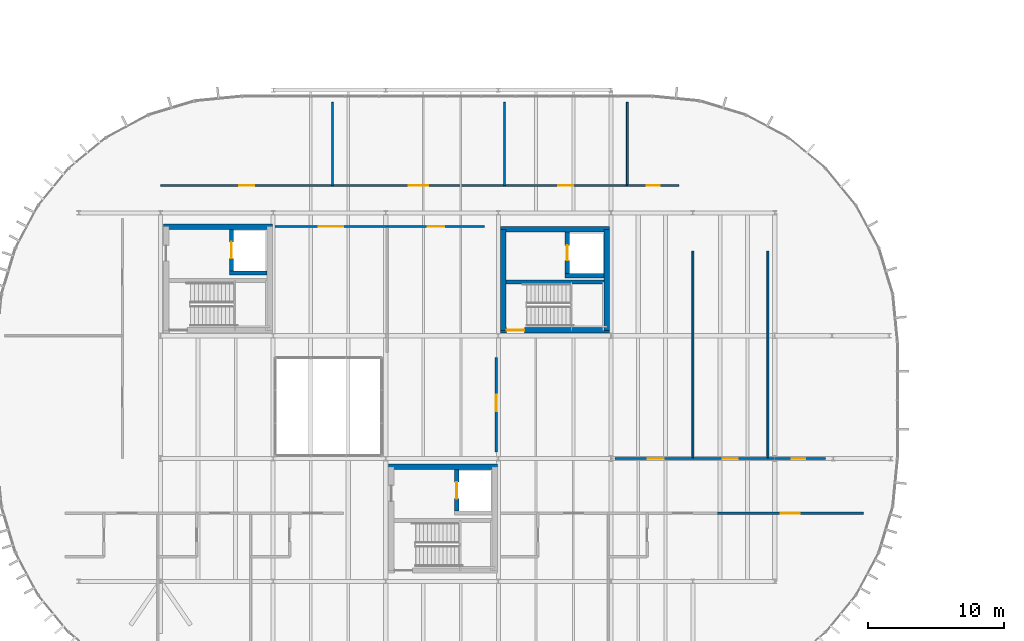
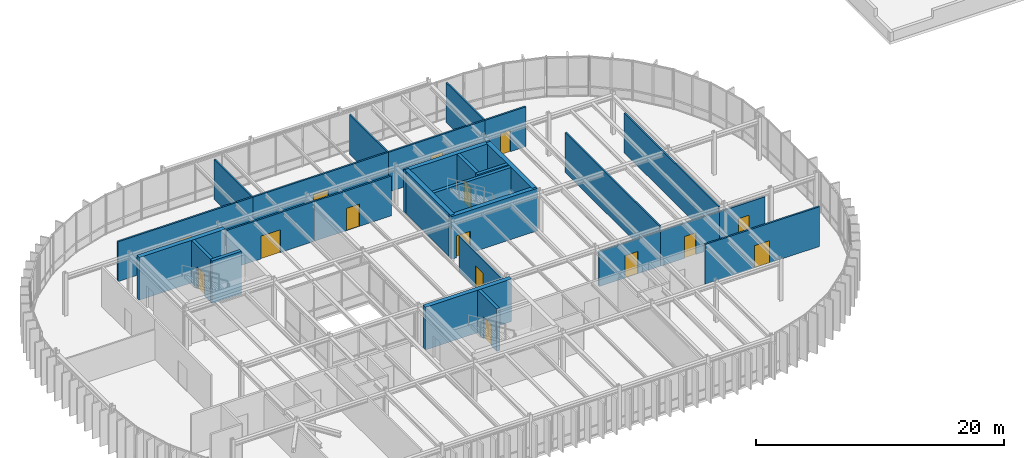
# One storey, part 21 of 27: 28 walls, 15 doors, 15 openings.
"""IFC4 building model written with IfcOpenShell, lengths in metres."""

import ifcopenshell
import ifcopenshell.guid

model = None  # the IFC model being written
_history = None  # IfcOwnerHistory: only IFC2X3 demands one
_inside = {}  # id of a spatial element -> (the spatial element, [elements in it])
_under = {}  # id of a project, library or spatial element -> (it, [spatial elements below it])
_declared = {}  # id of a project -> (the project, [libraries it declares])
_typed = {}  # id of a type object -> (the type object, [elements of that type])
_made_of = {}  # id of a material, layer set ... -> (it, [elements and type objects made of it])


def new_model(schema):
    """Start an empty IFC model of exactly this schema.

    Asked for "IFC4X3", IfcOpenShell would pick the latest addendum, in which some entities
    have other attributes; the version numbers below select the first issue.
    IFC2X3 requires an IfcOwnerHistory on every rooted entity: one is made here for all.
    """
    global model, _history
    if schema == "IFC4X3":
        model = ifcopenshell.file(schema_version=(4, 3, 0, 0))
    else:
        model = ifcopenshell.file(schema=schema)
    _inside.clear()
    _under.clear()
    _declared.clear()
    _typed.clear()
    _made_of.clear()
    _history = None
    if model.schema == "IFC2X3":
        org = make("IfcOrganization", Name="unknown")
        user = make(
            "IfcPersonAndOrganization",
            ThePerson=make("IfcPerson", FamilyName="unknown"),
            TheOrganization=org,
        )
        app = make(
            "IfcApplication",
            ApplicationDeveloper=org,
            Version="unknown",
            ApplicationFullName="unknown",
            ApplicationIdentifier="unknown",
        )
        _history = make(
            "IfcOwnerHistory",
            OwningUser=user,
            OwningApplication=app,
            ChangeAction="ADDED",
            CreationDate=0,
        )
    return model


def make(cls, **values):
    """One entity of the class cls with the attributes given. An attribute that is None is left unset."""
    return model.create_entity(
        cls, **{name: value for name, value in values.items() if value is not None}
    )


def rooted(cls, **values):
    """An entity with a GlobalId (a new one), such as an element, a storey or a relation."""
    return make(cls, GlobalId=ifcopenshell.guid.new(), OwnerHistory=_history, **values)


def si_unit(unit_type, name, prefix=None):
    """IfcSIUnit, for example si_unit("LENGTHUNIT", "METRE", prefix="MILLI")."""
    return make("IfcSIUnit", UnitType=unit_type, Prefix=prefix, Name=name)


def assignment(units):
    """IfcUnitAssignment: the units of a project."""
    return None if units is None else make("IfcUnitAssignment", Units=units)


def point(xyz):
    """IfcCartesianPoint."""
    return None if xyz is None else make("IfcCartesianPoint", Coordinates=xyz)


def direction(xyz):
    """IfcDirection."""
    return None if xyz is None else make("IfcDirection", DirectionRatios=xyz)


def frame(location, z_axis=None, x_axis=None):
    """IfcAxis2Placement3D, a coordinate frame: its origin and axes. An axis left out is left unset."""
    return make(
        "IfcAxis2Placement3D",
        Location=point(location),
        Axis=direction(z_axis),
        RefDirection=direction(x_axis),
    )


def frame_2d(location, x_axis=None):
    """IfcAxis2Placement2D, a coordinate frame in the plane: its origin and x axis."""
    return make(
        "IfcAxis2Placement2D", Location=point(location), RefDirection=direction(x_axis)
    )


def origin():
    """The frame at (0, 0, 0) with its axes left unset."""
    return frame((0.0, 0.0, 0.0))


def place(relative_to, where):
    """IfcLocalPlacement: puts the frame where relative to a parent placement (None: the world)."""
    return make(
        "IfcLocalPlacement", PlacementRelTo=relative_to, RelativePlacement=where
    )


def context(
    kind, dimensions, precision=None, world=None, true_north=None, identifier=None
):
    """IfcGeometricRepresentationContext, for example the 3D "Model" context."""
    return make(
        "IfcGeometricRepresentationContext",
        ContextIdentifier=identifier,
        ContextType=kind,
        CoordinateSpaceDimension=dimensions,
        Precision=precision,
        WorldCoordinateSystem=world,
        TrueNorth=true_north,
    )


def subcontext(parent, identifier, kind, view, scale=None):
    """IfcGeometricRepresentationSubContext, for example "Body" below "Model"."""
    return make(
        "IfcGeometricRepresentationSubContext",
        ContextIdentifier=identifier,
        ContextType=kind,
        ParentContext=parent,
        TargetScale=scale,
        TargetView=view,
    )


def project(units=None, contexts=None):
    """IfcProject with its units and contexts."""
    return rooted(
        "IfcProject",
        Name="project",
        RepresentationContexts=contexts,
        UnitsInContext=assignment(units),
    )


def spatial(cls, under=None, at=None, **own):
    """A site, building, storey or space (cls), placed at a placement, below another one or the project."""
    s = rooted(cls, ObjectPlacement=at, **own)
    if under is not None:
        _under.setdefault(under.id(), (under, []))[1].append(s)
    return s


def profile(cls, at=None, kind="AREA", **sizes):
    """A parametric profile (cls). Its sizes go by their IFC names, for example OverallWidth=200.0."""
    return make(cls, ProfileType=kind, Position=at, **sizes)


def rectangle(**sizes):
    """IfcRectangleProfileDef."""
    return profile("IfcRectangleProfileDef", **sizes)


def extrude(swept, where, along, depth):
    """IfcExtrudedAreaSolid: the profile swept, set in the frame where, extruded along a direction by depth."""
    return make(
        "IfcExtrudedAreaSolid",
        SweptArea=swept,
        Position=where,
        ExtrudedDirection=direction(along),
        Depth=depth,
    )


def shape(context_of_items, identifier, shape_type, items):
    """IfcShapeRepresentation: the items that make up one representation, for example the "Body"."""
    return make(
        "IfcShapeRepresentation",
        ContextOfItems=context_of_items,
        RepresentationIdentifier=identifier,
        RepresentationType=shape_type,
        Items=items,
    )


def material(Name=None, Category=None):
    """IfcMaterial."""
    return make("IfcMaterial", Name=Name, Category=Category)


def layer(
    of_material, thickness, ventilated=None, Name=None, Category=None, Priority=None
):
    """IfcMaterialLayer: one layer of a wall or slab, of a material (None: an air gap)."""
    return make(
        "IfcMaterialLayer",
        Material=of_material,
        LayerThickness=thickness,
        IsVentilated=ventilated,
        Name=Name,
        Category=Category,
        Priority=Priority,
    )


def layer_set(layers, Name=None):
    """IfcMaterialLayerSet."""
    return make("IfcMaterialLayerSet", MaterialLayers=layers, LayerSetName=Name)


def made_of(thing, what):
    """Note that an element or type object is made of a material, layer set ...; save() writes the relation."""
    if what is not None:
        _made_of.setdefault(what.id(), (what, []))[1].append(thing)
    return thing


def type_object(cls, material=None, **own):
    """A type object (cls), such as IfcWallType, which elements share."""
    return made_of(rooted(cls, **own), material)


def element(
    cls,
    number,
    at=None,
    inside=None,
    cuts=None,
    type_object=None,
    material=None,
    context=None,
    identifier="Body",
    shape_type=None,
    held_by="IfcProductDefinitionShape",
    body=None,
    shapes=None,
    **own,
):
    """One element of the class cls, such as IfcWall. Its Tag is "e" and its number.

    at: its placement. inside: the storey or other place that contains it. cuts: it is an
    opening in that element (IfcRelVoidsElement). A single representation is given by context,
    identifier, shape_type and body (its items); several are given by shapes. held_by: the class
    of the entity that holds the representations. save() writes the other relations.
    """
    e = rooted(cls, Tag="e%d" % number, ObjectPlacement=at, **own)
    if body is not None:
        shapes = [shape(context, identifier, shape_type, body)]
    if shapes is not None:
        e.Representation = make(held_by, Representations=shapes)
    if inside is not None:
        _inside.setdefault(inside.id(), (inside, []))[1].append(e)
    if cuts is not None:
        rooted(
            "IfcRelVoidsElement", RelatingBuildingElement=cuts, RelatedOpeningElement=e
        )
    if type_object is not None:
        _typed.setdefault(type_object.id(), (type_object, []))[1].append(e)
    return made_of(e, material)


def fill(opening, filler):
    """IfcRelFillsElement: the door or window that sits in an opening."""
    return rooted(
        "IfcRelFillsElement",
        RelatingOpeningElement=opening,
        RelatedBuildingElement=filler,
    )


def aggregate(whole, parts):
    """IfcRelAggregates: a whole, such as a stair, and the parts it consists of."""
    return rooted("IfcRelAggregates", RelatingObject=whole, RelatedObjects=parts)


def save(model, path):
    """Write the relations noted so far, then the file.

    IfcRelAggregates (storeys below a building ...), IfcRelContainedInSpatialStructure (elements
    in a storey), IfcRelDefinesByType, IfcRelAssociatesMaterial and IfcRelDeclares: one each for
    every whole, place, type object, material and project.
    """
    for whole, parts in _under.values():
        aggregate(whole, parts)
    for where, things in _inside.values():
        rooted(
            "IfcRelContainedInSpatialStructure",
            RelatedElements=things,
            RelatingStructure=where,
        )
    for kind, things in _typed.values():
        rooted("IfcRelDefinesByType", RelatedObjects=things, RelatingType=kind)
    for what, things in _made_of.values():
        rooted("IfcRelAssociatesMaterial", RelatedObjects=things, RelatingMaterial=what)
    for by, libraries in _declared.values():
        rooted("IfcRelDeclares", RelatingContext=by, RelatedDefinitions=libraries)
    model.write(path)


model = new_model("IFC4")

# Units and contexts
model_context = context("Model", 3, precision=1e-05, world=origin(), true_north=direction((0.0, 1.0)))
body_context = subcontext(model_context, "Body", "Model", "MODEL_VIEW")
ifc_project = project(units=[si_unit("LENGTHUNIT", "METRE"), si_unit("AREAUNIT", "SQUARE_METRE"), si_unit("VOLUMEUNIT", "CUBIC_METRE"), si_unit("PLANEANGLEUNIT", "RADIAN"), si_unit("MASSUNIT", "GRAM", prefix="KILO")], contexts=[model_context])

# Site, building, storey
site_placement = place(None, origin())
site = spatial("IfcSite", under=ifc_project, at=site_placement, CompositionType="ELEMENT")
building_placement = place(site_placement, origin())
building = spatial("IfcBuilding", under=site, at=building_placement, Name="Montealbar Specialist Clinic", CompositionType="ELEMENT")
storey_placement = place(building_placement, frame((0.0, 0.0, 18.0)))
storey = spatial("IfcBuildingStorey", under=building, at=storey_placement, Name="L04", CompositionType="ELEMENT", Elevation=18.0)

# Wall
ifc_material_1 = material(Name="Concrete C35/45", Category="concrete")
ifc_layer_1 = layer(ifc_material_1, 0.300048828125, Name="Concrete C35/45", Category="concrete")
ifc_layer_set_1 = layer_set([ifc_layer_1], Name="Concrete C35/45")
wall_type_1 = type_object("IfcWallType", Name="WL-CORE-300", PredefinedType="SHEAR", material=ifc_layer_set_1)
wall_1_placement = place(storey_placement, frame((71.050048828125, 31.60009765625, 0.0), z_axis=(0.0, 0.0, 1.0), x_axis=(1.0, 0.0, 0.0)))
element("IfcWall", 1, at=wall_1_placement, inside=storey, type_object=wall_type_1, Name="Lift FL-01 Shaft Wall L04 LS", PredefinedType="SHEAR", context=body_context, shape_type="SweptSolid", body=[
    extrude(rectangle(XDim=2.75, YDim=0.300048828125, at=frame_2d((1.375, 0.0))), origin(), (0.0, 0.0, 1.0), 4.199951171875),
])

# Wall, opening, door
wall_2_placement = place(storey_placement, frame((71.199951171875, 31.75, 0.0), z_axis=(0.0, 0.0, 1.0), x_axis=(0.0, 1.0, 0.0)))
wall_2 = element("IfcWall", 2, at=wall_2_placement, inside=storey, type_object=wall_type_1, Name="Lift FL-01 Shaft Wall L04 LW", PredefinedType="SHEAR", context=body_context, shape_type="SweptSolid", body=[
    extrude(rectangle(XDim=3.050048828125, YDim=0.300048828125, at=frame_2d((1.52490234375, 0.0))), origin(), (0.0, 0.0, 1.0), 4.199951171875),
])
opening_1_placement = place(wall_2_placement, frame((0.925048828125, 0.0, 0.0)))
opening_1 = element("IfcOpeningElement", 3, at=opening_1_placement, cuts=wall_2, Name="Opening LD-12", PredefinedType="OPENING", context=body_context, shape_type="SweptSolid", body=[
    extrude(rectangle(XDim=1.199951171875, YDim=2.14990234375, at=frame_2d((0.60009765625, 1.074951171875))), frame((0.0, 0.159912109375, 0.0), z_axis=(0.0, -1.0, 0.0), x_axis=(1.0, 0.0, 0.0)), (0.0, 0.0, 1.0), 0.320068359375),
])
ifc_material_2 = material(Name="Steel S355", Category="steel")
door_type_1 = type_object("IfcDoorType", Name="DR-LIFT-LD1200", OperationType="DOUBLE_DOOR_SLIDING", PredefinedType="DOOR", material=ifc_material_2)
door_1_placement = place(opening_1_placement, origin())
door_1 = element("IfcDoor", 4, at=door_1_placement, inside=storey, type_object=door_type_1, Name="Lift FL-01 Sliding Landing Door L04", OperationType="DOUBLE_DOOR_SLIDING", OverallHeight=2.14990234375, OverallWidth=1.199951171875, PredefinedType="DOOR", context=body_context, shape_type="SweptSolid", body=[
    extrude(rectangle(XDim=1.199951171875, YDim=2.14990234375, at=frame_2d((0.60009765625, 1.074951171875))), frame((0.0, 0.02490234375, 0.0), z_axis=(0.0, -1.0, 0.0), x_axis=(1.0, 0.0, 0.0)), (0.0, 0.0, 1.0), 0.050048828125),
])
fill(opening_1, door_1)

wall_3_placement = place(storey_placement, frame((87.699951171875, 14.14990234375, 0.0), z_axis=(0.0, 0.0, 1.0), x_axis=(0.0, 1.0, 0.0)))
wall_3 = element("IfcWall", 5, at=wall_3_placement, inside=storey, type_object=wall_type_1, Name="Lift FL-02 Shaft Wall L04 LW", PredefinedType="SHEAR", context=body_context, shape_type="SweptSolid", body=[
    extrude(rectangle(XDim=3.050048828125, YDim=0.300048828125, at=frame_2d((1.52490234375, 0.0))), origin(), (0.0, 0.0, 1.0), 4.199951171875),
])
opening_2_placement = place(wall_3_placement, frame((0.925048828125, 0.0, 0.0)))
opening_2 = element("IfcOpeningElement", 6, at=opening_2_placement, cuts=wall_3, Name="Opening LD-12", PredefinedType="OPENING", context=body_context, shape_type="SweptSolid", body=[
    extrude(rectangle(XDim=1.199951171875, YDim=2.14990234375, at=frame_2d((0.60009765625, 1.074951171875))), frame((0.0, 0.159912109375, 0.0), z_axis=(0.0, -1.0, 0.0), x_axis=(1.0, 0.0, 0.0)), (0.0, 0.0, 1.0), 0.320068359375),
])
door_2_placement = place(opening_2_placement, origin())
door_2 = element("IfcDoor", 7, at=door_2_placement, inside=storey, type_object=door_type_1, Name="Lift FL-02 Sliding Landing Door L04", OperationType="DOUBLE_DOOR_SLIDING", OverallHeight=2.14990234375, OverallWidth=1.199951171875, PredefinedType="DOOR", context=body_context, shape_type="SweptSolid", body=[
    extrude(rectangle(XDim=1.199951171875, YDim=2.14990234375, at=frame_2d((0.60009765625, 1.074951171875))), frame((0.0, 0.02490234375, 0.0), z_axis=(0.0, -1.0, 0.0), x_axis=(1.0, 0.0, 0.0)), (0.0, 0.0, 1.0), 0.050048828125),
])
fill(opening_2, door_2)

# Walls
wall_4_placement = place(storey_placement, frame((91.300048828125, 30.949951171875, 0.0), z_axis=(0.0, 0.0, 1.0), x_axis=(1.0, 0.0, 0.0)))
element("IfcWall", 8, at=wall_4_placement, inside=storey, type_object=wall_type_1, Name="Core C5 Stairwell Wall L04", PredefinedType="SHEAR", context=body_context, shape_type="SweptSolid", body=[
    extrude(rectangle(XDim=7.199951171875, YDim=0.300048828125, at=frame_2d((3.60009765625, 0.0))), origin(), (0.0, 0.0, 1.0), 4.199951171875),
])
wall_5_placement = place(storey_placement, frame((95.64990234375, 31.39990234375, 0.0), z_axis=(0.0, 0.0, 1.0), x_axis=(1.0, 0.0, 0.0)))
element("IfcWall", 9, at=wall_5_placement, inside=storey, type_object=wall_type_1, Name="Lift LF-03 Shaft Wall L04 LS", PredefinedType="SHEAR", context=body_context, shape_type="SweptSolid", body=[
    extrude(rectangle(XDim=2.85009765625, YDim=0.300048828125, at=frame_2d((1.425048828125, 0.0))), origin(), (0.0, 0.0, 1.0), 4.199951171875),
])

# Wall, opening, door
wall_6_placement = place(storey_placement, frame((95.800048828125, 31.550048828125, 0.0), z_axis=(0.0, 0.0, 1.0), x_axis=(0.0, 1.0, 0.0)))
wall_6 = element("IfcWall", 10, at=wall_6_placement, inside=storey, type_object=wall_type_1, Name="Lift LF-03 Shaft Wall L04 LW", PredefinedType="SHEAR", context=body_context, shape_type="SweptSolid", body=[
    extrude(rectangle(XDim=3.050048828125, YDim=0.300048828125, at=frame_2d((1.52490234375, 0.0))), origin(), (0.0, 0.0, 1.0), 4.199951171875),
])
opening_3_placement = place(wall_6_placement, frame((0.97509765625, 0.0, 0.0)))
opening_3 = element("IfcOpeningElement", 11, at=opening_3_placement, cuts=wall_6, Name="Opening LD-11", PredefinedType="OPENING", context=body_context, shape_type="SweptSolid", body=[
    extrude(rectangle(XDim=1.10009765625, YDim=2.14990234375, at=frame_2d((0.550048828125, 1.074951171875))), frame((0.0, 0.159912109375, 0.0), z_axis=(0.0, -1.0, 0.0), x_axis=(1.0, 0.0, 0.0)), (0.0, 0.0, 1.0), 0.320068359375),
])
door_type_2 = type_object("IfcDoorType", Name="DR-LIFT-LD1100", OperationType="DOUBLE_DOOR_SLIDING", PredefinedType="DOOR", material=ifc_material_2)
door_3_placement = place(opening_3_placement, origin())
door_3 = element("IfcDoor", 12, at=door_3_placement, inside=storey, type_object=door_type_2, Name="Lift LF-03 Sliding Landing Door L04", OperationType="DOUBLE_DOOR_SLIDING", OverallHeight=2.14990234375, OverallWidth=1.10009765625, PredefinedType="DOOR", context=body_context, shape_type="SweptSolid", body=[
    extrude(rectangle(XDim=1.10009765625, YDim=2.14990234375, at=frame_2d((0.550048828125, 1.074951171875))), frame((0.0, 0.02490234375, 0.0), z_axis=(0.0, -1.0, 0.0), x_axis=(1.0, 0.0, 0.0)), (0.0, 0.0, 1.0), 0.050048828125),
])
fill(opening_3, door_3)

# Walls
ifc_layer_2 = layer(ifc_material_1, 0.39990234375, Name="Concrete C35/45", Category="concrete")
ifc_layer_set_2 = layer_set([ifc_layer_2], Name="Concrete C35/45")
wall_type_2 = type_object("IfcWallType", Name="WL-CORE-400", PredefinedType="SHEAR", material=ifc_layer_set_2)
for number, where, z_axis, x_axis, name in (
    (13, (66.199951171875, 35.0, 0.0), (0.0, 0.0, 1.0), (1.0, 0.0, 0.0), "Core C3 Shear Wall L04 N"),
    (14, (82.699951171875, 17.39990234375, 0.0), (0.0, 0.0, 1.0), (1.0, 0.0, 0.0), "Core C4 Shear Wall L04 N"),
):
    element("IfcWall", number, at=place(storey_placement, frame(where, z_axis=z_axis, x_axis=x_axis)), inside=storey, type_object=wall_type_2, Name=name, PredefinedType="SHEAR", context=body_context, shape_type="SweptSolid", body=[
        extrude(rectangle(XDim=8.0, YDim=0.39990234375, at=frame_2d((4.0, 0.0))), origin(), (0.0, 0.0, 1.0), 4.199951171875),
    ])

# Wall, opening, door
wall_7_placement = place(storey_placement, frame((90.89990234375, 27.39990234375, 0.0), z_axis=(0.0, 0.0, 1.0), x_axis=(1.0, 0.0, 0.0)))
wall_7 = element("IfcWall", 15, at=wall_7_placement, inside=storey, type_object=wall_type_2, Name="Core C5 Shear Wall L04 S", PredefinedType="SHEAR", context=body_context, shape_type="SweptSolid", body=[
    extrude(rectangle(XDim=8.0, YDim=0.39990234375, at=frame_2d((4.0, 0.0))), origin(), (0.0, 0.0, 1.0), 4.199951171875),
])
opening_4_placement = place(wall_7_placement, frame((0.449951171875, 0.0, 0.0)))
opening_4 = element("IfcOpeningElement", 16, at=opening_4_placement, cuts=wall_7, Name="Opening SD-13", PredefinedType="OPENING", context=body_context, shape_type="SweptSolid", body=[
    extrude(rectangle(XDim=1.300048828125, YDim=2.14990234375, at=frame_2d((0.64990234375, 1.074951171875))), frame((0.0, 0.2099609375, 0.0), z_axis=(0.0, -1.0, 0.0), x_axis=(1.0, 0.0, 0.0)), (0.0, 0.0, 1.0), 0.419921875),
])
door_type_3 = type_object("IfcDoorType", Name="DR-STAIR-W1300", OperationType="NOTDEFINED", PredefinedType="DOOR", material=ifc_material_2)
door_4_placement = place(opening_4_placement, frame((1.300048828125, 0.0, 0.0), z_axis=(0.0, 0.0, 1.0), x_axis=(-1.0, 0.0, 0.0)))
door_4 = element("IfcDoor", 17, at=door_4_placement, inside=storey, type_object=door_type_3, Name="Protected Core C5 Stair Fire Door L04", OperationType="SINGLE_SWING_LEFT", OverallHeight=2.14990234375, OverallWidth=1.300048828125, PredefinedType="DOOR", context=body_context, shape_type="SweptSolid", body=[
    extrude(rectangle(XDim=1.300048828125, YDim=2.14990234375, at=frame_2d((0.64990234375, 1.074951171875))), frame((0.0, 0.02490234375, 0.0), z_axis=(0.0, -1.0, 0.0), x_axis=(1.0, 0.0, 0.0)), (0.0, 0.0, 1.0), 0.050048828125),
])
fill(opening_4, door_4)

# Walls
wall_8_placement = place(storey_placement, frame((90.89990234375, 34.800048828125, 0.0), z_axis=(0.0, 0.0, 1.0), x_axis=(1.0, 0.0, 0.0)))
element("IfcWall", 18, at=wall_8_placement, inside=storey, type_object=wall_type_2, Name="Core C5 Shear Wall L04 N", PredefinedType="SHEAR", context=body_context, shape_type="SweptSolid", body=[
    extrude(rectangle(XDim=8.0, YDim=0.39990234375, at=frame_2d((4.0, 0.0))), origin(), (0.0, 0.0, 1.0), 4.199951171875),
])
for number, where, z_axis, x_axis, name in (
    (19, (91.10009765625, 27.39990234375, 0.0), (0.0, 0.0, 1.0), (0.0, 1.0, 0.0), "Core C5 Shear Wall L04 W"),
    (20, (98.699951171875, 27.39990234375, 0.0), (0.0, 0.0, 1.0), (0.0, 1.0, 0.0), "Core C5 Shear Wall L04 E"),
):
    element("IfcWall", number, at=place(storey_placement, frame(where, z_axis=z_axis, x_axis=x_axis)), inside=storey, type_object=wall_type_2, Name=name, PredefinedType="SHEAR", context=body_context, shape_type="SweptSolid", body=[
        extrude(rectangle(XDim=7.400146484375, YDim=0.39990234375, at=frame_2d((3.7001953125, 0.0))), origin(), (0.0, 0.0, 1.0), 4.199951171875),
    ])
ifc_material_3 = material(Name="Gypsum acoustic partition", Category="gypsum")
ifc_layer_3 = layer(ifc_material_3, 0.139892578125, Name="Gypsum acoustic partition", Category="gypsum")
ifc_layer_set_3 = layer_set([ifc_layer_3], Name="Gypsum acoustic partition")
wall_type_3 = type_object("IfcWallType", Name="WL-PART-ACOUSTIC-140", PredefinedType="PARTITIONING", material=ifc_layer_set_3)
for number, where, z_axis, x_axis, name in (
    (21, (105.0, 18.0, 0.0), (0.0, 0.0, 1.0), (0.0, 1.0, 0.0), "Clinical Partition PART-L04-0211"),
    (22, (110.5, 18.0, 0.0), (0.0, 0.0, 1.0), (0.0, 1.0, 0.0), "Clinical Partition PART-L04-0213"),
):
    element("IfcWall", number, at=place(storey_placement, frame(where, z_axis=z_axis, x_axis=x_axis)), inside=storey, type_object=wall_type_3, Name=name, PredefinedType="PARTITIONING", context=body_context, shape_type="SweptSolid", body=[
        extrude(rectangle(XDim=15.199951171875, YDim=0.139892578125, at=frame_2d((7.60009765625, 0.0))), origin(), (0.0, 0.0, 1.0), 3.919921875),
    ])
for number, where, z_axis, x_axis, name in (
    (23, (78.60009765625, 38.0, 0.0), (0.0, 0.0, 1.0), (0.0, 1.0, 0.0), "Clinical Partition PART-L04-0216"),
    (24, (91.199951171875, 38.0, 0.0), (0.0, 0.0, 1.0), (0.0, 1.0, 0.0), "Clinical Partition PART-L04-0218"),
    (25, (100.199951171875, 38.0, 0.0), (0.0, 0.0, 1.0), (0.0, 1.0, 0.0), "Clinical Partition PART-L04-0220"),
):
    element("IfcWall", number, at=place(storey_placement, frame(where, z_axis=z_axis, x_axis=x_axis)), inside=storey, type_object=wall_type_3, Name=name, PredefinedType="PARTITIONING", context=body_context, shape_type="SweptSolid", body=[
        extrude(rectangle(XDim=6.10009765625, YDim=0.139892578125, at=frame_2d((3.050048828125, 0.0))), origin(), (0.0, 0.0, 1.0), 3.919921875),
    ])

# Wall, opening, door
ifc_layer_4 = layer(ifc_material_3, 0.159912109375, Name="Gypsum acoustic partition", Category="gypsum")
ifc_layer_set_4 = layer_set([ifc_layer_4], Name="Gypsum acoustic partition")
wall_type_4 = type_object("IfcWallType", Name="WL-PART-CLINIC-160", PredefinedType="PARTITIONING", material=ifc_layer_set_4)
wall_9_placement = place(storey_placement, frame((99.280029296875, 18.0, 0.0), z_axis=(0.0, 0.0, 1.0), x_axis=(1.0, 0.0, 0.0)))
wall_9 = element("IfcWall", 26, at=wall_9_placement, inside=storey, type_object=wall_type_4, Name="Clinical Partition PART-L04-0210", PredefinedType="PARTITIONING", context=body_context, shape_type="SweptSolid", body=[
    extrude(rectangle(XDim=5.719970703125, YDim=0.159912109375, at=frame_2d((2.85986328125, 0.0))), origin(), (0.0, 0.0, 1.0), 3.43994140625),
])
opening_5_placement = place(wall_9_placement, frame((2.39990234375, 0.0, 0.0)))
opening_5 = element("IfcOpeningElement", 27, at=opening_5_placement, cuts=wall_9, Name="Opening ID-120", PredefinedType="OPENING", context=body_context, shape_type="SweptSolid", body=[
    extrude(rectangle(XDim=1.199951171875, YDim=2.199951171875, at=frame_2d((0.60009765625, 1.10009765625))), frame((0.0, 0.08984375, 0.0), z_axis=(0.0, -1.0, 0.0), x_axis=(1.0, 0.0, 0.0)), (0.0, 0.0, 1.0), 0.179931640625),
])
ifc_material_4 = material(Name="Acoustic timber leaf", Category="wood")
door_type_4 = type_object("IfcDoorType", Name="DR-CLIN-W1200", OperationType="NOTDEFINED", PredefinedType="DOOR", material=ifc_material_4)
door_5_placement = place(opening_5_placement, frame((1.199951171875, 0.0, 0.0), z_axis=(0.0, 0.0, 1.0), x_axis=(-1.0, 0.0, 0.0)))
door_5 = element("IfcDoor", 28, at=door_5_placement, inside=storey, type_object=door_type_4, Name="Clinical Room Door IDR-L04-0134", OperationType="SINGLE_SWING_RIGHT", OverallHeight=2.199951171875, OverallWidth=1.199951171875, PredefinedType="DOOR", context=body_context, shape_type="SweptSolid", body=[
    extrude(rectangle(XDim=1.199951171875, YDim=2.199951171875, at=frame_2d((0.60009765625, 1.10009765625))), frame((0.0, 0.02490234375, 0.0), z_axis=(0.0, -1.0, 0.0), x_axis=(1.0, 0.0, 0.0)), (0.0, 0.0, 1.0), 0.050048828125),
])
fill(opening_5, door_5)

wall_10_placement = place(storey_placement, frame((105.0, 18.0, 0.0), z_axis=(0.0, 0.0, 1.0), x_axis=(1.0, 0.0, 0.0)))
wall_10 = element("IfcWall", 29, at=wall_10_placement, inside=storey, type_object=wall_type_4, Name="Clinical Partition PART-L04-0212", PredefinedType="PARTITIONING", context=body_context, shape_type="SweptSolid", body=[
    extrude(rectangle(XDim=5.5, YDim=0.159912109375, at=frame_2d((2.75, 0.0))), origin(), (0.0, 0.0, 1.0), 3.43994140625),
])
opening_6_placement = place(wall_10_placement, frame((2.199951171875, 0.0, 0.0)))
opening_6 = element("IfcOpeningElement", 30, at=opening_6_placement, cuts=wall_10, Name="Opening ID-110", PredefinedType="OPENING", context=body_context, shape_type="SweptSolid", body=[
    extrude(rectangle(XDim=1.10009765625, YDim=2.14990234375, at=frame_2d((0.550048828125, 1.074951171875))), frame((0.0, 0.08984375, 0.0), z_axis=(0.0, -1.0, 0.0), x_axis=(1.0, 0.0, 0.0)), (0.0, 0.0, 1.0), 0.179931640625),
])
door_type_5 = type_object("IfcDoorType", Name="DR-CLIN-W1100", OperationType="NOTDEFINED", PredefinedType="DOOR", material=ifc_material_4)
door_6_placement = place(opening_6_placement, frame((1.10009765625, 0.0, 0.0), z_axis=(0.0, 0.0, 1.0), x_axis=(-1.0, 0.0, 0.0)))
door_6 = element("IfcDoor", 31, at=door_6_placement, inside=storey, type_object=door_type_5, Name="Clinical Room Door IDR-L04-0135", OperationType="SINGLE_SWING_LEFT", OverallHeight=2.14990234375, OverallWidth=1.10009765625, PredefinedType="DOOR", context=body_context, shape_type="SweptSolid", body=[
    extrude(rectangle(XDim=1.10009765625, YDim=2.14990234375, at=frame_2d((0.550048828125, 1.074951171875))), frame((0.0, 0.02490234375, 0.0), z_axis=(0.0, -1.0, 0.0), x_axis=(1.0, 0.0, 0.0)), (0.0, 0.0, 1.0), 0.050048828125),
])
fill(opening_6, door_6)

wall_11_placement = place(storey_placement, frame((110.5, 18.0, 0.0), z_axis=(0.0, 0.0, 1.0), x_axis=(1.0, 0.0, 0.0)))
wall_11 = element("IfcWall", 32, at=wall_11_placement, inside=storey, type_object=wall_type_4, Name="Clinical Partition PART-L04-0214", PredefinedType="PARTITIONING", context=body_context, shape_type="SweptSolid", body=[
    extrude(rectangle(XDim=4.219970703125, YDim=0.159912109375, at=frame_2d((2.10986328125, 0.0))), origin(), (0.0, 0.0, 1.0), 3.43994140625),
])
opening_7_placement = place(wall_11_placement, frame((1.75, 0.0, 0.0)))
opening_7 = element("IfcOpeningElement", 33, at=opening_7_placement, cuts=wall_11, Name="Opening ID-100", PredefinedType="OPENING", context=body_context, shape_type="SweptSolid", body=[
    extrude(rectangle(XDim=1.0, YDim=2.14990234375, at=frame_2d((0.5, 1.074951171875))), frame((0.0, 0.08984375, 0.0), z_axis=(0.0, -1.0, 0.0), x_axis=(1.0, 0.0, 0.0)), (0.0, 0.0, 1.0), 0.179931640625),
])
door_type_6 = type_object("IfcDoorType", Name="DR-STD-W1000", OperationType="NOTDEFINED", PredefinedType="DOOR", material=ifc_material_4)
door_7_placement = place(opening_7_placement, frame((1.0, 0.0, 0.0), z_axis=(0.0, 0.0, 1.0), x_axis=(-1.0, 0.0, 0.0)))
door_7 = element("IfcDoor", 34, at=door_7_placement, inside=storey, type_object=door_type_6, Name="Clinical Room Door IDR-L04-0136", OperationType="SINGLE_SWING_RIGHT", OverallHeight=2.14990234375, OverallWidth=1.0, PredefinedType="DOOR", context=body_context, shape_type="SweptSolid", body=[
    extrude(rectangle(XDim=1.0, YDim=2.14990234375, at=frame_2d((0.5, 1.074951171875))), frame((0.0, 0.02490234375, 0.0), z_axis=(0.0, -1.0, 0.0), x_axis=(1.0, 0.0, 0.0)), (0.0, 0.0, 1.0), 0.050048828125),
])
fill(opening_7, door_7)

wall_12_placement = place(storey_placement, frame((66.0, 38.0, 0.0), z_axis=(0.0, 0.0, 1.0), x_axis=(1.0, 0.0, 0.0)))
wall_12 = element("IfcWall", 35, at=wall_12_placement, inside=storey, type_object=wall_type_4, Name="Clinical Partition PART-L04-0215", PredefinedType="PARTITIONING", context=body_context, shape_type="SweptSolid", body=[
    extrude(rectangle(XDim=12.60009765625, YDim=0.159912109375, at=frame_2d((6.300048828125, 0.0))), origin(), (0.0, 0.0, 1.0), 3.919921875),
])
opening_8_placement = place(wall_12_placement, frame((5.75, 0.0, 0.0)))
opening_8 = element("IfcOpeningElement", 36, at=opening_8_placement, cuts=wall_12, Name="Opening ID-110", PredefinedType="OPENING", context=body_context, shape_type="SweptSolid", body=[
    extrude(rectangle(XDim=1.10009765625, YDim=2.14990234375, at=frame_2d((0.550048828125, 1.074951171875))), frame((0.0, 0.08984375, 0.0), z_axis=(0.0, -1.0, 0.0), x_axis=(1.0, 0.0, 0.0)), (0.0, 0.0, 1.0), 0.179931640625),
])
door_8_placement = place(opening_8_placement, frame((1.10009765625, 0.0, 0.0), z_axis=(0.0, 0.0, 1.0), x_axis=(-1.0, 0.0, 0.0)))
door_8 = element("IfcDoor", 37, at=door_8_placement, inside=storey, type_object=door_type_5, Name="Clinical Room Door IDR-L04-0137", OperationType="SINGLE_SWING_LEFT", OverallHeight=2.14990234375, OverallWidth=1.10009765625, PredefinedType="DOOR", context=body_context, shape_type="SweptSolid", body=[
    extrude(rectangle(XDim=1.10009765625, YDim=2.14990234375, at=frame_2d((0.550048828125, 1.074951171875))), frame((0.0, 0.02490234375, 0.0), z_axis=(0.0, -1.0, 0.0), x_axis=(1.0, 0.0, 0.0)), (0.0, 0.0, 1.0), 0.050048828125),
])
fill(opening_8, door_8)

wall_13_placement = place(storey_placement, frame((78.60009765625, 38.0, 0.0), z_axis=(0.0, 0.0, 1.0), x_axis=(1.0, 0.0, 0.0)))
wall_13 = element("IfcWall", 38, at=wall_13_placement, inside=storey, type_object=wall_type_4, Name="Clinical Partition PART-L04-0217", PredefinedType="PARTITIONING", context=body_context, shape_type="SweptSolid", body=[
    extrude(rectangle(XDim=12.599853515625, YDim=0.159912109375, at=frame_2d((6.2998046875, 0.0))), origin(), (0.0, 0.0, 1.0), 3.919921875),
])
opening_9_placement = place(wall_13_placement, frame((5.60009765625, 0.0, 0.0)))
opening_9 = element("IfcOpeningElement", 39, at=opening_9_placement, cuts=wall_13, Name="Opening ID-140", PredefinedType="OPENING", context=body_context, shape_type="SweptSolid", body=[
    extrude(rectangle(XDim=1.39990234375, YDim=2.199951171875, at=frame_2d((0.699951171875, 1.10009765625))), frame((0.0, 0.08984375, 0.0), z_axis=(0.0, -1.0, 0.0), x_axis=(1.0, 0.0, 0.0)), (0.0, 0.0, 1.0), 0.179931640625),
])
door_type_7 = type_object("IfcDoorType", Name="DR-BED-W1400", OperationType="NOTDEFINED", PredefinedType="DOOR", material=ifc_material_4)
door_9_placement = place(opening_9_placement, frame((1.39990234375, 0.0, 0.0), z_axis=(0.0, 0.0, 1.0), x_axis=(-1.0, 0.0, 0.0)))
door_9 = element("IfcDoor", 40, at=door_9_placement, inside=storey, type_object=door_type_7, Name="Clinical Room Door IDR-L04-0138", OperationType="SINGLE_SWING_RIGHT", OverallHeight=2.199951171875, OverallWidth=1.39990234375, PredefinedType="DOOR", context=body_context, shape_type="SweptSolid", body=[
    extrude(rectangle(XDim=1.39990234375, YDim=2.199951171875, at=frame_2d((0.699951171875, 1.10009765625))), frame((0.0, 0.02490234375, 0.0), z_axis=(0.0, -1.0, 0.0), x_axis=(1.0, 0.0, 0.0)), (0.0, 0.0, 1.0), 0.050048828125),
])
fill(opening_9, door_9)

wall_14_placement = place(storey_placement, frame((91.199951171875, 38.0, 0.0), z_axis=(0.0, 0.0, 1.0), x_axis=(1.0, 0.0, 0.0)))
wall_14 = element("IfcWall", 41, at=wall_14_placement, inside=storey, type_object=wall_type_4, Name="Clinical Partition PART-L04-0219", PredefinedType="PARTITIONING", context=body_context, shape_type="SweptSolid", body=[
    extrude(rectangle(XDim=9.0, YDim=0.159912109375, at=frame_2d((4.5, 0.0))), origin(), (0.0, 0.0, 1.0), 3.919921875),
])
opening_10_placement = place(wall_14_placement, frame((3.949951171875, 0.0, 0.0)))
opening_10 = element("IfcOpeningElement", 42, at=opening_10_placement, cuts=wall_14, Name="Opening ID-110", PredefinedType="OPENING", context=body_context, shape_type="SweptSolid", body=[
    extrude(rectangle(XDim=1.10009765625, YDim=2.14990234375, at=frame_2d((0.550048828125, 1.074951171875))), frame((0.0, 0.08984375, 0.0), z_axis=(0.0, -1.0, 0.0), x_axis=(1.0, 0.0, 0.0)), (0.0, 0.0, 1.0), 0.179931640625),
])
door_10_placement = place(opening_10_placement, frame((1.10009765625, 0.0, 0.0), z_axis=(0.0, 0.0, 1.0), x_axis=(-1.0, 0.0, 0.0)))
door_10 = element("IfcDoor", 43, at=door_10_placement, inside=storey, type_object=door_type_5, Name="Clinical Room Door IDR-L04-0139", OperationType="SINGLE_SWING_LEFT", OverallHeight=2.14990234375, OverallWidth=1.10009765625, PredefinedType="DOOR", context=body_context, shape_type="SweptSolid", body=[
    extrude(rectangle(XDim=1.10009765625, YDim=2.14990234375, at=frame_2d((0.550048828125, 1.074951171875))), frame((0.0, 0.02490234375, 0.0), z_axis=(0.0, -1.0, 0.0), x_axis=(1.0, 0.0, 0.0)), (0.0, 0.0, 1.0), 0.050048828125),
])
fill(opening_10, door_10)

wall_15_placement = place(storey_placement, frame((100.199951171875, 38.0, 0.0), z_axis=(0.0, 0.0, 1.0), x_axis=(1.0, 0.0, 0.0)))
wall_15 = element("IfcWall", 44, at=wall_15_placement, inside=storey, type_object=wall_type_4, Name="Clinical Partition PART-L04-0221", PredefinedType="PARTITIONING", context=body_context, shape_type="SweptSolid", body=[
    extrude(rectangle(XDim=3.800048828125, YDim=0.159912109375, at=frame_2d((1.89990234375, 0.0))), origin(), (0.0, 0.0, 1.0), 3.919921875),
])
opening_11_placement = place(wall_15_placement, frame((1.425048828125, 0.0, 0.0)))
opening_11 = element("IfcOpeningElement", 45, at=opening_11_placement, cuts=wall_15, Name="Opening ID-095", PredefinedType="OPENING", context=body_context, shape_type="SweptSolid", body=[
    extrude(rectangle(XDim=0.949951171875, YDim=2.10009765625, at=frame_2d((0.47509765625, 1.050048828125))), frame((0.0, 0.08984375, 0.0), z_axis=(0.0, -1.0, 0.0), x_axis=(1.0, 0.0, 0.0)), (0.0, 0.0, 1.0), 0.179931640625),
])
door_type_8 = type_object("IfcDoorType", Name="DR-WC-W0950", OperationType="NOTDEFINED", PredefinedType="DOOR", material=ifc_material_4)
door_11_placement = place(opening_11_placement, frame((0.949951171875, 0.0, 0.0), z_axis=(0.0, 0.0, 1.0), x_axis=(-1.0, 0.0, 0.0)))
door_11 = element("IfcDoor", 46, at=door_11_placement, inside=storey, type_object=door_type_8, Name="Clinical Room Door IDR-L04-0140", OperationType="SINGLE_SWING_RIGHT", OverallHeight=2.10009765625, OverallWidth=0.949951171875, PredefinedType="DOOR", context=body_context, shape_type="SweptSolid", body=[
    extrude(rectangle(XDim=0.949951171875, YDim=2.10009765625, at=frame_2d((0.47509765625, 1.050048828125))), frame((0.0, 0.02490234375, 0.0), z_axis=(0.0, -1.0, 0.0), x_axis=(1.0, 0.0, 0.0)), (0.0, 0.0, 1.0), 0.050048828125),
])
fill(opening_11, door_11)

wall_16_placement = place(storey_placement, frame((74.39990234375, 35.0, 0.0), z_axis=(0.0, 0.0, 1.0), x_axis=(1.0, 0.0, 0.0)))
wall_16 = element("IfcWall", 47, at=wall_16_placement, inside=storey, type_object=wall_type_4, Name="Clinical Partition PART-L04-0265", PredefinedType="PARTITIONING", context=body_context, shape_type="SweptSolid", body=[
    extrude(rectangle(XDim=8.2001953125, YDim=0.159912109375, at=frame_2d((4.10009765625, 0.0))), origin(), (0.0, 0.0, 1.0), 3.919921875),
])
opening_12_placement = place(wall_16_placement, frame((3.199951171875, 0.0, 0.0)))
opening_12 = element("IfcOpeningElement", 48, at=opening_12_placement, cuts=wall_16, Name="Opening ID-180", PredefinedType="OPENING", context=body_context, shape_type="SweptSolid", body=[
    extrude(rectangle(XDim=1.800048828125, YDim=2.25, at=frame_2d((0.89990234375, 1.125))), frame((0.0, 0.08984375, 0.0), z_axis=(0.0, -1.0, 0.0), x_axis=(1.0, 0.0, 0.0)), (0.0, 0.0, 1.0), 0.179931640625),
])
door_type_9 = type_object("IfcDoorType", Name="DR-DBL-W1800", OperationType="DOUBLE_DOOR_SINGLE_SWING", PredefinedType="DOOR", material=ifc_material_4)
door_12_placement = place(opening_12_placement, origin())
door_12 = element("IfcDoor", 49, at=door_12_placement, inside=storey, type_object=door_type_9, Name="Clinical Room Door IDR-L04-0172", OperationType="DOUBLE_DOOR_SINGLE_SWING", OverallHeight=2.25, OverallWidth=1.800048828125, PredefinedType="DOOR", context=body_context, shape_type="SweptSolid", body=[
    extrude(rectangle(XDim=1.800048828125, YDim=2.25, at=frame_2d((0.89990234375, 1.125))), frame((0.0, 0.02490234375, 0.0), z_axis=(0.0, -1.0, 0.0), x_axis=(1.0, 0.0, 0.0)), (0.0, 0.0, 1.0), 0.050048828125),
])
fill(opening_12, door_12)

wall_17_placement = place(storey_placement, frame((82.60009765625, 35.0, 0.0), z_axis=(0.0, 0.0, 1.0), x_axis=(1.0, 0.0, 0.0)))
wall_17 = element("IfcWall", 50, at=wall_17_placement, inside=storey, type_object=wall_type_4, Name="Clinical Partition PART-L04-0267", PredefinedType="PARTITIONING", context=body_context, shape_type="SweptSolid", body=[
    extrude(rectangle(XDim=7.14990234375, YDim=0.159912109375, at=frame_2d((3.574951171875, 0.0))), origin(), (0.0, 0.0, 1.0), 3.919921875),
])
opening_13_placement = place(wall_17_placement, frame((2.97509765625, 0.0, 0.0)))
opening_13 = element("IfcOpeningElement", 51, at=opening_13_placement, cuts=wall_17, Name="Opening ID-120", PredefinedType="OPENING", context=body_context, shape_type="SweptSolid", body=[
    extrude(rectangle(XDim=1.199951171875, YDim=2.199951171875, at=frame_2d((0.60009765625, 1.10009765625))), frame((0.0, 0.08984375, 0.0), z_axis=(0.0, -1.0, 0.0), x_axis=(1.0, 0.0, 0.0)), (0.0, 0.0, 1.0), 0.179931640625),
])
door_13_placement = place(opening_13_placement, origin())
door_13 = element("IfcDoor", 52, at=door_13_placement, inside=storey, type_object=door_type_4, Name="Clinical Room Door IDR-L04-0173", OperationType="SINGLE_SWING_RIGHT", OverallHeight=2.199951171875, OverallWidth=1.199951171875, PredefinedType="DOOR", context=body_context, shape_type="SweptSolid", body=[
    extrude(rectangle(XDim=1.199951171875, YDim=2.199951171875, at=frame_2d((0.60009765625, 1.10009765625))), frame((0.0, 0.02490234375, 0.0), z_axis=(0.0, -1.0, 0.0), x_axis=(1.0, 0.0, 0.0)), (0.0, 0.0, 1.0), 0.050048828125),
])
fill(opening_13, door_13)

wall_18_placement = place(storey_placement, frame((90.60009765625, 18.47998046875, 0.0), z_axis=(0.0, 0.0, 1.0), x_axis=(0.0, 1.0, 0.0)))
wall_18 = element("IfcWall", 53, at=wall_18_placement, inside=storey, type_object=wall_type_4, Name="Clinical Partition PART-L04-0271", PredefinedType="PARTITIONING", context=body_context, shape_type="SweptSolid", body=[
    extrude(rectangle(XDim=6.919921875, YDim=0.159912109375, at=frame_2d((3.4599609375, 0.0))), origin(), (0.0, 0.0, 1.0), 3.489990234375),
])
opening_14_placement = place(wall_18_placement, frame((3.0, 0.0, 0.0)))
opening_14 = element("IfcOpeningElement", 54, at=opening_14_placement, cuts=wall_18, Name="Opening ID-120", PredefinedType="OPENING", context=body_context, shape_type="SweptSolid", body=[
    extrude(rectangle(XDim=1.199951171875, YDim=2.199951171875, at=frame_2d((0.60009765625, 1.10009765625))), frame((0.0, 0.08984375, 0.0), z_axis=(0.0, -1.0, 0.0), x_axis=(1.0, 0.0, 0.0)), (0.0, 0.0, 1.0), 0.179931640625),
])
door_14_placement = place(opening_14_placement, frame((1.199951171875, 0.0, 0.0), z_axis=(0.0, 0.0, 1.0), x_axis=(-1.0, 0.0, 0.0)))
door_14 = element("IfcDoor", 55, at=door_14_placement, inside=storey, type_object=door_type_4, Name="Clinical Room Door IDR-L04-0176", OperationType="SINGLE_SWING_LEFT", OverallHeight=2.199951171875, OverallWidth=1.199951171875, PredefinedType="DOOR", context=body_context, shape_type="SweptSolid", body=[
    extrude(rectangle(XDim=1.199951171875, YDim=2.199951171875, at=frame_2d((0.60009765625, 1.10009765625))), frame((0.0, 0.02490234375, 0.0), z_axis=(0.0, -1.0, 0.0), x_axis=(1.0, 0.0, 0.0)), (0.0, 0.0, 1.0), 0.050048828125),
])
fill(opening_14, door_14)

wall_19_placement = place(storey_placement, frame((106.800048828125, 14.0, 0.0), z_axis=(0.0, 0.0, 1.0), x_axis=(1.0, 0.0, 0.0)))
wall_19 = element("IfcWall", 56, at=wall_19_placement, inside=storey, type_object=wall_type_4, Name="Clinical Partition PART-L04-0272", PredefinedType="PARTITIONING", context=body_context, shape_type="SweptSolid", body=[
    extrude(rectangle(XDim=10.699951171875, YDim=0.159912109375, at=frame_2d((5.35009765625, 0.0))), origin(), (0.0, 0.0, 1.0), 3.919921875),
])
opening_15_placement = place(wall_19_placement, frame((4.64990234375, 0.0, 0.0)))
opening_15 = element("IfcOpeningElement", 57, at=opening_15_placement, cuts=wall_19, Name="Opening ID-140", PredefinedType="OPENING", context=body_context, shape_type="SweptSolid", body=[
    extrude(rectangle(XDim=1.39990234375, YDim=2.199951171875, at=frame_2d((0.699951171875, 1.10009765625))), frame((0.0, 0.08984375, 0.0), z_axis=(0.0, -1.0, 0.0), x_axis=(1.0, 0.0, 0.0)), (0.0, 0.0, 1.0), 0.179931640625),
])
door_15_placement = place(opening_15_placement, origin())
door_15 = element("IfcDoor", 58, at=door_15_placement, inside=storey, type_object=door_type_7, Name="Clinical Room Door IDR-L04-0177", OperationType="SINGLE_SWING_RIGHT", OverallHeight=2.199951171875, OverallWidth=1.39990234375, PredefinedType="DOOR", context=body_context, shape_type="SweptSolid", body=[
    extrude(rectangle(XDim=1.39990234375, YDim=2.199951171875, at=frame_2d((0.699951171875, 1.10009765625))), frame((0.0, 0.02490234375, 0.0), z_axis=(0.0, -1.0, 0.0), x_axis=(1.0, 0.0, 0.0)), (0.0, 0.0, 1.0), 0.050048828125),
])
fill(opening_15, door_15)

save(model, "model.ifc")
